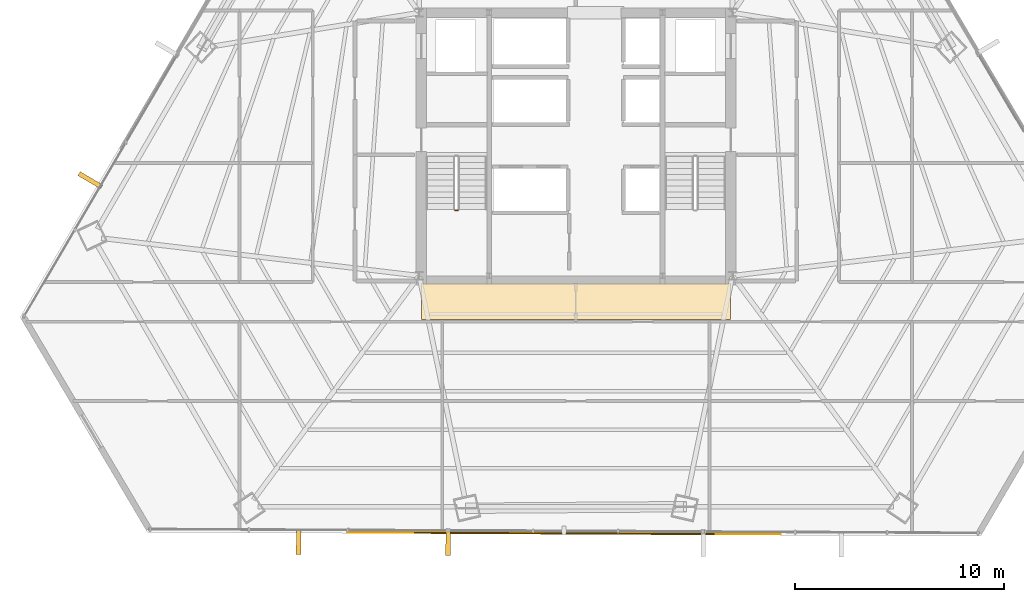
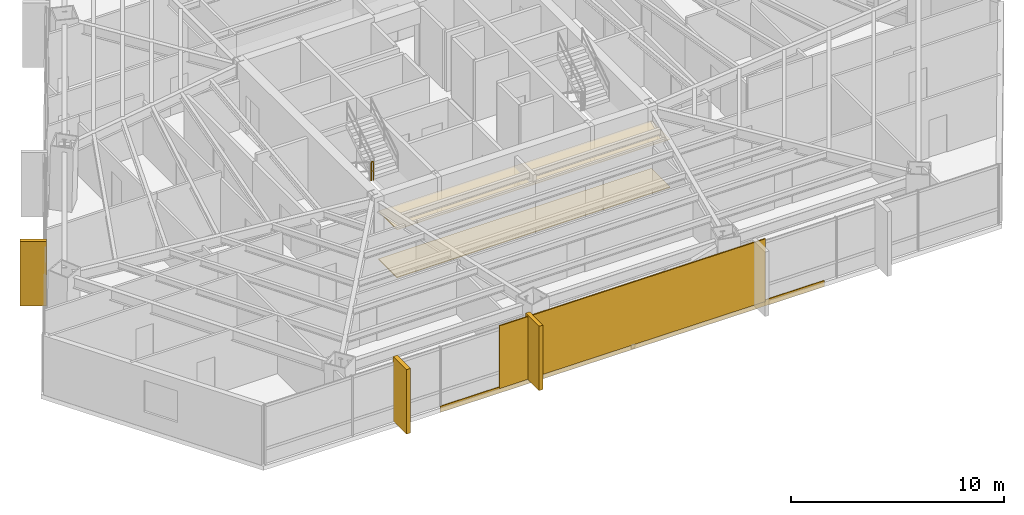
# One storey, part 34 of 37: 6 coverings, 1 railing, 1 shading device.
"""IFC4 building model written with IfcOpenShell, lengths in metres."""

from ifc_helpers import new_model, si_unit, direction, frame, origin, origin_2d, place, context, subcontext, project, spatial, polyline, rectangle, outline, extrude, source, transform, mapped, material, layer, layer_set, type_object, type_shapes, element, save


model = new_model("IFC4")

# Units and contexts
model_context = context("Model", 3, precision=1e-05, world=origin(), true_north=direction((0.0, 1.0)))
body_context = subcontext(model_context, "Body", "Model", "MODEL_VIEW")
ifc_project = project(units=[si_unit("LENGTHUNIT", "METRE"), si_unit("AREAUNIT", "SQUARE_METRE"), si_unit("VOLUMEUNIT", "CUBIC_METRE"), si_unit("PLANEANGLEUNIT", "RADIAN"), si_unit("MASSUNIT", "GRAM", prefix="KILO")], contexts=[model_context])

# Site, building, storey
site_placement = place(None, origin())
site = spatial("IfcSite", under=ifc_project, at=site_placement, CompositionType="ELEMENT")
building_placement = place(site_placement, origin())
building = spatial("IfcBuilding", under=site, at=building_placement, Name="Caelisora Broadcast Tower", CompositionType="ELEMENT")
storey_placement = place(building_placement, frame((0.0, 0.0, 101.75)))
storey = spatial("IfcBuildingStorey", under=building, at=storey_placement, Name="L26", CompositionType="ELEMENT", Elevation=101.75)

# Coverings
ifc_material_1 = material(Name="Perforated Mineral-Fibre Acoustic Ceiling Tile", Category="gypsum")
ifc_layer_1 = layer(ifc_material_1, 0.034912109375, Name="Perforated Mineral-Fibre Acoustic Ceiling Tile")
ifc_layer_set_1 = layer_set([ifc_layer_1], Name="Perforated Mineral-Fibre Acoustic Ceiling Tile")
covering_type_1 = type_object("IfcCoveringType", Name="CE-1", PredefinedType="CEILING", material=ifc_layer_set_1)
covering_1_placement = place(storey_placement, frame((0.0, 0.0, 2.75)))
element("IfcCovering", 1, at=covering_1_placement, inside=storey, type_object=covering_type_1, Name="L26 acoustic corridor ceiling CE-1 (S)", PredefinedType="CEILING", context=body_context, shape_type="SweptSolid", body=[
    extrude(outline(polyline([(30.60009765625, 15.300048828125), (45.39990234375, 15.300048828125), (45.39990234375, 17.050048828125), (30.60009765625, 17.050048828125), (30.60009765625, 15.300048828125)])), origin(), (0.0, 0.0, 1.0), 0.034912109375),
])
ifc_material_2 = material(Name="Anti-Static Broadcast Raised Access Floor Panel", Category="steel")
ifc_layer_2 = layer(ifc_material_2, 0.044921875, Name="Anti-Static Broadcast Raised Access Floor Panel")
ifc_layer_set_2 = layer_set([ifc_layer_2], Name="Anti-Static Broadcast Raised Access Floor Panel")
covering_type_2 = type_object("IfcCoveringType", Name="FL-1", PredefinedType="FLOORING", material=ifc_layer_set_2)
covering_2_placement = place(storey_placement, origin())
element("IfcCovering", 2, at=covering_2_placement, inside=storey, type_object=covering_type_2, Name="L26 broadcast raised access floor FL-1 (S)", PredefinedType="FLOORING", context=body_context, shape_type="SweptSolid", body=[
    extrude(outline(polyline([(30.60009765625, 15.300048828125), (45.39990234375, 15.300048828125), (45.39990234375, 17.050048828125), (30.60009765625, 17.050048828125), (30.60009765625, 15.300048828125)])), origin(), (0.0, 0.0, 1.0), 0.044921875),
])

# Railing
ifc_material_3 = material(Name="Galvanised Steel Safety Guardrail", Category="steel")
ifc_layer_3 = layer(ifc_material_3, 0.048095703125, Name="Galvanised Steel Safety Guardrail")
ifc_layer_set_3 = layer_set([ifc_layer_3], Name="Galvanised Steel Safety Guardrail")
railing_type = type_object("IfcRailingType", Name="GR-1", PredefinedType="GUARDRAIL", material=ifc_layer_set_3)
railing_placement = place(storey_placement, frame((32.219970703125, 20.530029296875, 1.824951171875)))
element("IfcRailing", 3, at=railing_placement, inside=storey, type_object=railing_type, Name="L26 ST-1 stair guard 2", PredefinedType="GUARDRAIL", context=body_context, shape_type="SweptSolid", body=[
    extrude(rectangle(XDim=0.048095703125, YDim=0.048095703125, at=origin_2d()), frame((0.0, 0.0, 1.076171875), z_axis=(1.0, 0.0, 0.0), x_axis=(0.0, 1.0, 0.0)), (0.0, 0.0, 1.0), 0.1201171875),
    extrude(rectangle(XDim=0.03125, YDim=0.03125, at=origin_2d()), frame((0.0, 0.0, 0.550048828125), z_axis=(1.0, 0.0, 0.0), x_axis=(0.0, 1.0, 0.0)), (0.0, 0.0, 1.0), 0.1201171875),
    extrude(rectangle(XDim=0.0419921875, YDim=0.0419921875, at=origin_2d()), origin(), (0.0, 0.0, 1.0), 1.052001953125),
    extrude(rectangle(XDim=0.0419921875, YDim=0.0419921875, at=origin_2d()), frame((0.1201171875, 0.0, 0.0)), (0.0, 0.0, 1.0), 1.052001953125),
])

# Coverings
ifc_material_4 = material(Name="Kiln-Fired Terracotta Spandrel Rainscreen Cladding", Category="ceramic")
ifc_layer_4 = layer(ifc_material_4, 0.044921875, Name="Kiln-Fired Terracotta Spandrel Rainscreen Cladding")
ifc_layer_set_4 = layer_set([ifc_layer_4], Name="Kiln-Fired Terracotta Spandrel Rainscreen Cladding")
covering_type_3 = type_object("IfcCoveringType", Name="CL-1", PredefinedType="CLADDING", material=ifc_layer_set_4)
shared_shape_1 = source(origin(), body_context, "Body", "SweptSolid", [
    extrude(rectangle(XDim=0.219970703125, YDim=1.25, at=origin_2d()), origin(), (0.0, 0.0, 1.0), 3.68994140625),
])
for number, where, z_axis, x_axis, name in (
    (4, (31.882080078125, 4.637451171875, -0.02001953125), (0.0, 0.0, 1.0), (-0.999989703949, 0.004537840481, 0.0), "L26 vertical solar fin cladding #2-3"),
    (5, (24.723388671875, 4.670166015625, -0.02001953125), (0.0, 0.0, 1.0), (-0.999989703949, 0.004537840481, 0.0), "L26 vertical solar fin cladding #2-4"),
    (6, (14.752685546875, 21.974365234375, -0.02001953125), (0.0, 0.0, 1.0), (0.505431492718, 0.862866737202, 0.0), "L26 vertical solar fin cladding #3-1"),
):
    element("IfcCovering", number, at=place(storey_placement, frame(where, z_axis=z_axis, x_axis=x_axis)), inside=storey, type_object=covering_type_3, Name=name, PredefinedType="CLADDING", context=body_context, shape_type="MappedRepresentation", body=[
        mapped(shared_shape_1, transform((0.0, 0.0, 0.0), scale=1.0)),
    ])

# Shading device
ifc_material_5 = material(Name="Perforated Glazed Terracotta Baguette Solar Screen", Category="ceramic")
ifc_layer_5 = layer(ifc_material_5, 0.06494140625, Name="Perforated Glazed Terracotta Baguette Solar Screen")
ifc_layer_set_5 = layer_set([ifc_layer_5], Name="Perforated Glazed Terracotta Baguette Solar Screen")
shading_device_type = type_object("IfcShadingDeviceType", Name="SS-1", PredefinedType="USERDEFINED", material=ifc_layer_set_5)
shared_shape_2 = source(origin(), body_context, "Body", "SweptSolid", [
    extrude(rectangle(XDim=14.368896484375, YDim=0.06494140625, at=origin_2d()), origin(), (0.0, 0.0, 1.0), 3.590087890625),
])
type_shapes(shading_device_type, [shared_shape_2])
shading_device_placement = place(storey_placement, frame((37.437744140625, 5.06201171875, 0.0), z_axis=(0.0, 0.0, 1.0), x_axis=(0.999989703949, -0.004537840481, 0.0)))
element("IfcShadingDevice", 7, at=shading_device_placement, inside=storey, type_object=shading_device_type, Name="L26 perforated terracotta solar screen #2", ObjectType="SOLAR SCREEN", PredefinedType="USERDEFINED", context=body_context, shape_type="MappedRepresentation", body=[
    mapped(shared_shape_2, transform((0.0, 0.0, 0.0), scale=1.0)),
])

# Covering
shared_shape_3 = source(origin(), body_context, "Body", "SweptSolid", [
    extrude(rectangle(XDim=20.7548828125, YDim=0.044921875, at=origin_2d()), origin(), (0.0, 0.0, 1.0), 0.340087890625),
])
type_shapes(covering_type_3, [shared_shape_1, shared_shape_3])
covering_3_placement = place(storey_placement, frame((37.437744140625, 5.08203125, -0.27001953125), z_axis=(0.0, 0.0, 1.0), x_axis=(0.999989703949, -0.004537840481, 0.0)))
element("IfcCovering", 8, at=covering_3_placement, inside=storey, type_object=covering_type_3, Name="L26 terracotta spandrel rainscreen #2", PredefinedType="CLADDING", context=body_context, shape_type="MappedRepresentation", body=[
    mapped(shared_shape_3, transform((0.0, 0.0, 0.0), scale=1.0)),
])

save(model, "model.ifc")
